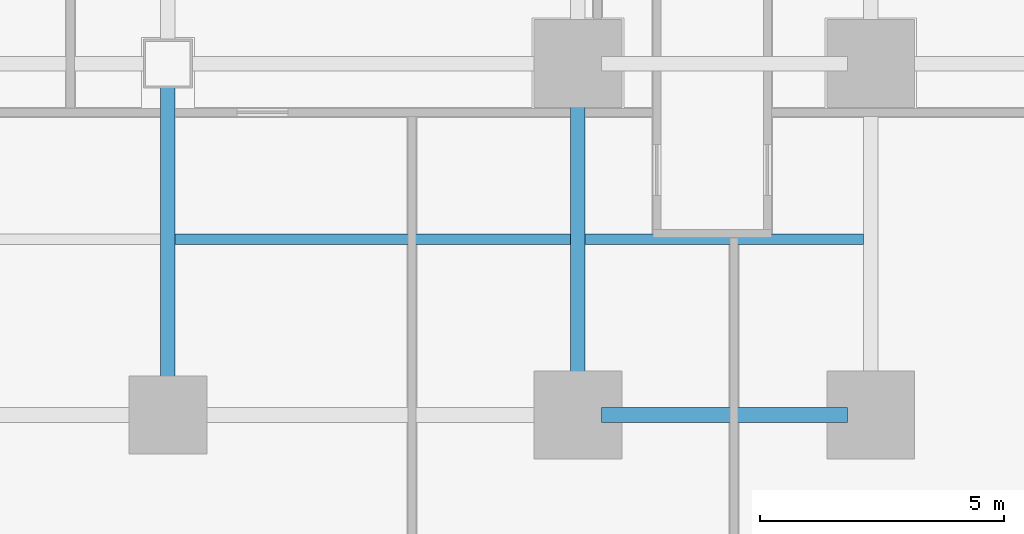
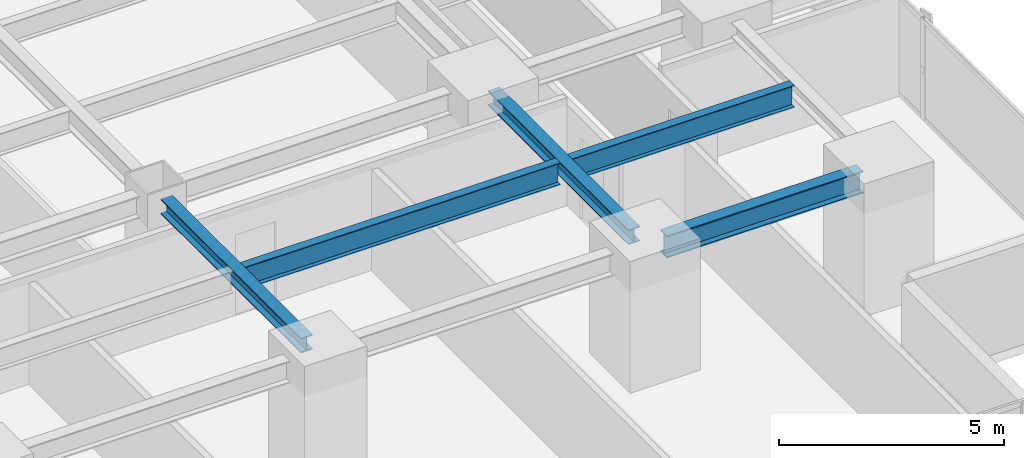
# One storey, part 12 of 33: 5 beams.
"""IFC4 building model written with IfcOpenShell, lengths in metres."""

from ifc_helpers import new_model, si_unit, direction, frame, origin, origin_2d, place, context, subcontext, project, spatial, i_section, extrude, source, transform, mapped, material, material_profile, profile_set, type_object, element, save


model = new_model("IFC4")

# Units and contexts
model_context = context("Model", 3, precision=1e-05, world=origin(), true_north=direction((0.0, 1.0)))
body_context = subcontext(model_context, "Body", "Model", "MODEL_VIEW")
ifc_project = project(units=[si_unit("LENGTHUNIT", "METRE"), si_unit("AREAUNIT", "SQUARE_METRE"), si_unit("VOLUMEUNIT", "CUBIC_METRE"), si_unit("PLANEANGLEUNIT", "RADIAN"), si_unit("MASSUNIT", "GRAM", prefix="KILO")], contexts=[model_context])

# Site, building, storey
site_placement = place(None, origin())
site = spatial("IfcSite", under=ifc_project, at=site_placement, CompositionType="ELEMENT")
building_placement = place(site_placement, origin())
building = spatial("IfcBuilding", under=site, at=building_placement, Name="Sumidabori Civic Tower", CompositionType="ELEMENT")
storey_placement = place(building_placement, frame((0.0, 0.0, 59.60009765625)))
storey = spatial("IfcBuildingStorey", under=building, at=storey_placement, Name="L15", CompositionType="ELEMENT", Elevation=59.60009765625)

# Beams
ifc_material = material(Name="Steel SN490", Category="steel")
ifc_material_profile_1 = material_profile(ifc_material, i_section(OverallWidth=0.300048828125, OverallDepth=0.60009765625, WebThickness=0.015380859375, FlangeThickness=0.030029296875, at=origin_2d()), Name="HE 600 B")
ifc_profile_set_1 = profile_set([ifc_material_profile_1], Name="Steel SN490")
beam_type_1 = type_object("IfcBeamType", Name="BM-GIRD-600", PredefinedType="BEAM", material=ifc_profile_set_1)
shared_shape_1 = source(origin(), body_context, "Body", "SweptSolid", [
    extrude(i_section(OverallWidth=0.300048828125, OverallDepth=0.60009765625, WebThickness=0.015380859375, FlangeThickness=0.030029296875, at=origin_2d()), origin(), (0.0, 0.0, 1.0), 5.0400390625),
])
beam_1_placement = place(storey_placement, frame((17.280029296875, -18.0, 3.059814453125), z_axis=(1.0, 0.0, 0.0), x_axis=(0.0, 1.0, 0.0)))
element("IfcBeam", 1, at=beam_1_placement, inside=storey, type_object=beam_type_1, Name="Primary Girder L15 GX-06", PredefinedType="BEAM", context=body_context, shape_type="MappedRepresentation", body=[
    mapped(shared_shape_1, transform((0.0, 0.0, 0.0), x_axis=(1.0, 0.0, 0.0), y_axis=(0.0, 1.0, 0.0), z_axis=(0.0, 0.0, 1.0), scale=1.0)),
])
ifc_material_profile_2 = material_profile(ifc_material, i_section(OverallWidth=0.300048828125, OverallDepth=0.39990234375, WebThickness=0.013427734375, FlangeThickness=0.02392578125, at=origin_2d()), Name="HE 400 B")
ifc_profile_set_2 = profile_set([ifc_material_profile_2], Name="Steel SN490")
beam_type_2 = type_object("IfcBeamType", Name="BM-GIRD-400", PredefinedType="BEAM", material=ifc_profile_set_2)
shared_shape_2 = source(origin(), body_context, "Body", "SweptSolid", [
    extrude(i_section(OverallWidth=0.300048828125, OverallDepth=0.39990234375, WebThickness=0.013427734375, FlangeThickness=0.02392578125, at=origin_2d()), origin(), (0.0, 0.0, 1.0), 6.239990234375),
])
for number, where, z_axis, x_axis, name in (
    (2, (8.39990234375, -17.52001953125, 3.159912109375), (0.0, 1.0, 0.0), (-1.0, 0.0, 0.0), "Primary Girder L15 GY-33"),
    (3, (16.800048828125, -17.52001953125, 3.159912109375), (0.0, 1.0, 0.0), (-1.0, 0.0, 0.0), "Primary Girder L15 GY-35"),
):
    element("IfcBeam", number, at=place(storey_placement, frame(where, z_axis=z_axis, x_axis=x_axis)), inside=storey, type_object=beam_type_2, Name=name, PredefinedType="BEAM", context=body_context, shape_type="MappedRepresentation", body=[
        mapped(shared_shape_2, transform((0.0, 0.0, 0.0), x_axis=(1.0, 0.0, 0.0), y_axis=(0.0, 1.0, 0.0), z_axis=(0.0, 0.0, 1.0), scale=1.0)),
    ])
ifc_material_profile_3 = material_profile(ifc_material, i_section(OverallWidth=0.219970703125, OverallDepth=0.60009765625, WebThickness=0.011962890625, FlangeThickness=0.01904296875, at=origin_2d()), Name="IPE 600")
ifc_profile_set_3 = profile_set([ifc_material_profile_3], Name="Steel SN490")
beam_type_3 = type_object("IfcBeamType", Name="BM-JST-600", PredefinedType="JOIST", material=ifc_profile_set_3)
shared_shape_3 = source(origin(), body_context, "Body", "SweptSolid", [
    extrude(i_section(OverallWidth=0.219970703125, OverallDepth=0.60009765625, WebThickness=0.011962890625, FlangeThickness=0.01904296875, at=origin_2d()), origin(), (0.0, 0.0, 1.0), 5.699951171875),
])
beam_2_placement = place(storey_placement, frame((16.949951171875, -14.39990234375, 3.059814453125), z_axis=(1.0, 0.0, 0.0), x_axis=(0.0, 1.0, 0.0)))
element("IfcBeam", 4, at=beam_2_placement, inside=storey, type_object=beam_type_3, Name="Outer Bay Floor Joist L15 JSTO-58", PredefinedType="JOIST", context=body_context, shape_type="MappedRepresentation", body=[
    mapped(shared_shape_3, transform((0.0, 0.0, 0.0), x_axis=(1.0, 0.0, 0.0), y_axis=(0.0, 1.0, 0.0), z_axis=(0.0, 0.0, 1.0), scale=1.0)),
])
shared_shape_4 = source(origin(), body_context, "Body", "SweptSolid", [
    extrude(i_section(OverallWidth=0.219970703125, OverallDepth=0.60009765625, WebThickness=0.011962890625, FlangeThickness=0.01904296875, at=origin_2d()), origin(), (0.0, 0.0, 1.0), 8.099853515625),
])
beam_3_placement = place(storey_placement, frame((8.550048828125, -14.39990234375, 3.059814453125), z_axis=(1.0, 0.0, 0.0), x_axis=(0.0, 1.0, 0.0)))
element("IfcBeam", 5, at=beam_3_placement, inside=storey, type_object=beam_type_3, Name="South Bay Floor Joist L15 JSTS-64", PredefinedType="JOIST", context=body_context, shape_type="MappedRepresentation", body=[
    mapped(shared_shape_4, transform((0.0, 0.0, 0.0), x_axis=(1.0, 0.0, 0.0), y_axis=(0.0, 1.0, 0.0), z_axis=(0.0, 0.0, 1.0), scale=1.0)),
])

save(model, "model.ifc")
